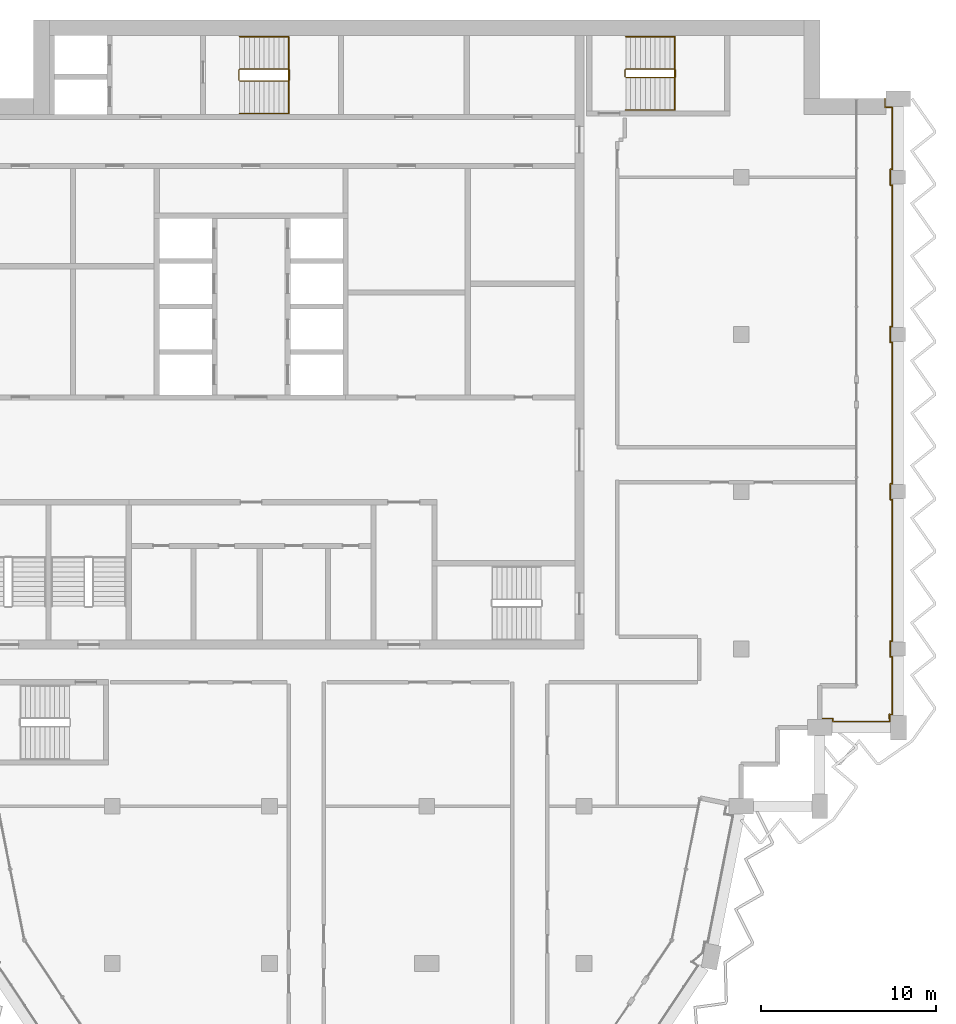
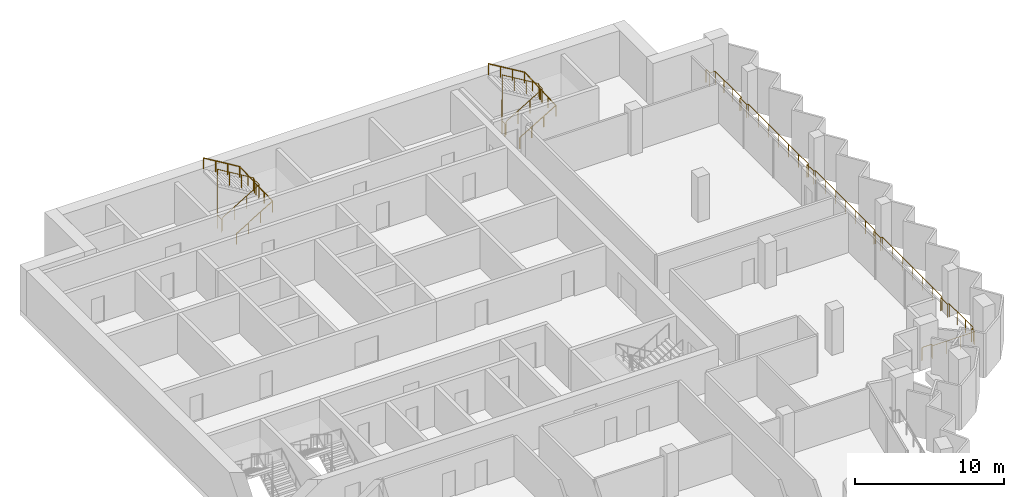
# One storey, part 14 of 14: 5 railings.
"""IFC4 building model written with IfcOpenShell, lengths in metres."""

from ifc_helpers import new_model, si_unit, direction, frame, origin, origin_2d, place, context, subcontext, project, spatial, circle, extrude, material, type_object, element, save


model = new_model("IFC4")

# Units and contexts
model_context = context("Model", 3, precision=1e-05, world=origin(), true_north=direction((0.0, 1.0)))
body_context = subcontext(model_context, "Body", "Model", "MODEL_VIEW")
ifc_project = project(units=[si_unit("LENGTHUNIT", "METRE"), si_unit("AREAUNIT", "SQUARE_METRE"), si_unit("VOLUMEUNIT", "CUBIC_METRE"), si_unit("PLANEANGLEUNIT", "RADIAN"), si_unit("MASSUNIT", "GRAM", prefix="KILO")], contexts=[model_context])

# Site, building, storey
site_placement = place(None, origin())
site = spatial("IfcSite", under=ifc_project, at=site_placement, CompositionType="ELEMENT")
building_placement = place(site_placement, origin())
building = spatial("IfcBuilding", under=site, at=building_placement, Name="Hunhe Ridgeline Campus", CompositionType="ELEMENT")
storey_placement = place(building_placement, frame((0.0, 0.0, 295.60009765625)))
storey = spatial("IfcBuildingStorey", under=building, at=storey_placement, Name="L76", CompositionType="ELEMENT", Elevation=295.60009765625)

# Railings
ifc_material_1 = material(Name="Steel Q355", Category="steel")
railing_type_1 = type_object("IfcRailingType", Name="Loggia guard 1100 Steel Q355", PredefinedType="GUARDRAIL", material=ifc_material_1)
railing_1_placement = place(storey_placement, frame((49.5, 59.02001953125, 0.0)))
element("IfcRailing", 1, at=railing_1_placement, inside=storey, type_object=railing_type_1, Name="Loggia guard 2", PredefinedType="GUARDRAIL", context=body_context, shape_type="SweptSolid", body=[
    extrude(circle(Radius=0.02392578125, at=origin_2d()), frame((0.0, 0.0, 1.076171875), z_axis=(1.0, 0.0, 0.0), x_axis=(0.0, 1.0, 0.0)), (0.0, 0.0, 1.0), 0.75),
    extrude(circle(Radius=0.02392578125, at=origin_2d()), frame((0.75, 0.0, 1.076171875), z_axis=(0.0, -1.0, 0.0), x_axis=(1.0, 0.0, 0.0)), (0.0, 0.0, 1.0), 0.169921875),
    extrude(circle(Radius=0.02392578125, at=origin_2d()), frame((0.75, -0.169921875, 1.076171875), z_axis=(1.0, 0.0, 0.0), x_axis=(0.0, 1.0, 0.0)), (0.0, 0.0, 1.0), 3.25),
    extrude(circle(Radius=0.02392578125, at=origin_2d()), frame((4.0, -0.169921875, 1.076171875), z_axis=(0.0, 1.0, 0.0), x_axis=(-1.0, 0.0, 0.0)), (0.0, 0.0, 1.0), 0.419921875),
    extrude(circle(Radius=0.02392578125, at=origin_2d()), frame((4.0, 0.25, 1.076171875), z_axis=(-0.079822602517, -0.996809085095, 0.0), x_axis=(0.996809085095, -0.079822602517, 0.0)), (0.0, 0.0, 1.0), 0.250732421875),
    extrude(circle(Radius=0.02392578125, at=origin_2d()), frame((3.97998046875, 0.0, 1.076171875), z_axis=(0.0, 1.0, 0.0), x_axis=(-1.0, 0.0, 0.0)), (0.0, 0.0, 1.0), 0.22998046875),
    extrude(circle(Radius=0.02392578125, at=origin_2d()), frame((3.97998046875, 0.22998046875, 1.076171875), z_axis=(1.0, 0.0, 0.0), x_axis=(0.0, 1.0, 0.0)), (0.0, 0.0, 1.0), 0.169921875),
    extrude(circle(Radius=0.02392578125, at=origin_2d()), frame((4.14990234375, 0.22998046875, 1.076171875), z_axis=(0.0, 1.0, 0.0), x_axis=(-1.0, 0.0, 0.0)), (0.0, 0.0, 1.0), 3.300048828125),
    extrude(circle(Radius=0.02392578125, at=origin_2d()), frame((4.14990234375, 3.530029296875, 1.076171875), z_axis=(-1.0, 0.0, 0.0), x_axis=(0.0, -1.0, 0.0)), (0.0, 0.0, 1.0), 0.119873046875),
    extrude(circle(Radius=0.02392578125, at=origin_2d()), frame((4.030029296875, 3.530029296875, 1.076171875), z_axis=(0.0, 1.0, 0.0), x_axis=(-1.0, 0.0, 0.0)), (0.0, 0.0, 1.0), 0.89990234375),
    extrude(circle(Radius=0.02392578125, at=origin_2d()), frame((4.030029296875, 4.429931640625, 1.076171875), z_axis=(1.0, 0.0, 0.0), x_axis=(0.0, 1.0, 0.0)), (0.0, 0.0, 1.0), 0.119873046875),
    extrude(circle(Radius=0.02392578125, at=origin_2d()), frame((4.14990234375, 4.429931640625, 1.076171875), z_axis=(0.0, 1.0, 0.0), x_axis=(-1.0, 0.0, 0.0)), (0.0, 0.0, 1.0), 8.10009765625),
    extrude(circle(Radius=0.02392578125, at=origin_2d()), frame((4.14990234375, 12.530029296875, 1.076171875), z_axis=(-1.0, 0.0, 0.0), x_axis=(0.0, -1.0, 0.0)), (0.0, 0.0, 1.0), 0.119873046875),
    extrude(circle(Radius=0.02392578125, at=origin_2d()), frame((4.030029296875, 12.530029296875, 1.076171875), z_axis=(0.0, 1.0, 0.0), x_axis=(-1.0, 0.0, 0.0)), (0.0, 0.0, 1.0), 0.89990234375),
    extrude(circle(Radius=0.02392578125, at=origin_2d()), frame((4.030029296875, 13.429931640625, 1.076171875), z_axis=(1.0, 0.0, 0.0), x_axis=(0.0, 1.0, 0.0)), (0.0, 0.0, 1.0), 0.119873046875),
    extrude(circle(Radius=0.02392578125, at=origin_2d()), frame((4.14990234375, 13.429931640625, 1.076171875), z_axis=(0.0, 1.0, 0.0), x_axis=(-1.0, 0.0, 0.0)), (0.0, 0.0, 1.0), 8.10009765625),
    extrude(circle(Radius=0.02392578125, at=origin_2d()), frame((4.14990234375, 21.530029296875, 1.076171875), z_axis=(-1.0, 0.0, 0.0), x_axis=(0.0, -1.0, 0.0)), (0.0, 0.0, 1.0), 0.119873046875),
    extrude(circle(Radius=0.02392578125, at=origin_2d()), frame((4.030029296875, 21.530029296875, 1.076171875), z_axis=(0.0, 1.0, 0.0), x_axis=(-1.0, 0.0, 0.0)), (0.0, 0.0, 1.0), 0.89990234375),
    extrude(circle(Radius=0.02392578125, at=origin_2d()), frame((4.030029296875, 22.429931640625, 1.076171875), z_axis=(1.0, 0.0, 0.0), x_axis=(0.0, 1.0, 0.0)), (0.0, 0.0, 1.0), 0.119873046875),
    extrude(circle(Radius=0.02392578125, at=origin_2d()), frame((4.14990234375, 22.429931640625, 1.076171875), z_axis=(0.0, 1.0, 0.0), x_axis=(-1.0, 0.0, 0.0)), (0.0, 0.0, 1.0), 8.10009765625),
    extrude(circle(Radius=0.02392578125, at=origin_2d()), frame((4.14990234375, 30.530029296875, 1.076171875), z_axis=(-1.0, 0.0, 0.0), x_axis=(0.0, -1.0, 0.0)), (0.0, 0.0, 1.0), 0.119873046875),
    extrude(circle(Radius=0.02392578125, at=origin_2d()), frame((4.030029296875, 30.530029296875, 1.076171875), z_axis=(0.0, 1.0, 0.0), x_axis=(-1.0, 0.0, 0.0)), (0.0, 0.0, 1.0), 0.89990234375),
    extrude(circle(Radius=0.02392578125, at=origin_2d()), frame((4.030029296875, 31.429931640625, 1.076171875), z_axis=(1.0, 0.0, 0.0), x_axis=(0.0, 1.0, 0.0)), (0.0, 0.0, 1.0), 0.119873046875),
    extrude(circle(Radius=0.02392578125, at=origin_2d()), frame((4.14990234375, 31.429931640625, 1.076171875), z_axis=(0.0, 1.0, 0.0), x_axis=(-1.0, 0.0, 0.0)), (0.0, 0.0, 1.0), 3.550048828125),
    extrude(circle(Radius=0.02392578125, at=origin_2d()), frame((4.14990234375, 34.97998046875, 1.076171875), z_axis=(-1.0, 0.0, 0.0), x_axis=(0.0, -1.0, 0.0)), (0.0, 0.0, 1.0), 0.419921875),
    extrude(circle(Radius=0.02392578125, at=origin_2d()), frame((3.72998046875, 34.97998046875, 1.076171875), z_axis=(0.0, 1.0, 0.0), x_axis=(-1.0, 0.0, 0.0)), (0.0, 0.0, 1.0), 0.5),
    extrude(circle(Radius=0.02099609375, at=origin_2d()), origin(), (0.0, 0.0, 1.0), 1.052001953125),
    extrude(circle(Radius=0.02099609375, at=origin_2d()), frame((0.75, 0.0, 0.0)), (0.0, 0.0, 1.0), 1.052001953125),
    extrude(circle(Radius=0.02099609375, at=origin_2d()), frame((0.75, -0.169921875, 0.0)), (0.0, 0.0, 1.0), 1.052001953125),
    extrude(circle(Radius=0.02099609375, at=origin_2d()), frame((1.833251953125, -0.169921875, 0.0)), (0.0, 0.0, 1.0), 1.052001953125),
    extrude(circle(Radius=0.02099609375, at=origin_2d()), frame((2.916748046875, -0.169921875, 0.0)), (0.0, 0.0, 1.0), 1.052001953125),
    extrude(circle(Radius=0.02099609375, at=origin_2d()), frame((4.0, -0.169921875, 0.0)), (0.0, 0.0, 1.0), 1.052001953125),
    extrude(circle(Radius=0.02099609375, at=origin_2d()), frame((4.0, 0.25, 0.0)), (0.0, 0.0, 1.0), 1.052001953125),
    extrude(circle(Radius=0.02099609375, at=origin_2d()), frame((3.97998046875, 0.0, 0.0)), (0.0, 0.0, 1.0), 1.052001953125),
    extrude(circle(Radius=0.02099609375, at=origin_2d()), frame((3.97998046875, 0.22998046875, 0.0)), (0.0, 0.0, 1.0), 1.052001953125),
    extrude(circle(Radius=0.02099609375, at=origin_2d()), frame((4.14990234375, 0.22998046875, 0.0)), (0.0, 0.0, 1.0), 1.052001953125),
    extrude(circle(Radius=0.02099609375, at=origin_2d()), frame((4.14990234375, 1.330078125, 0.0)), (0.0, 0.0, 1.0), 1.052001953125),
    extrude(circle(Radius=0.02099609375, at=origin_2d()), frame((4.14990234375, 2.429931640625, 0.0)), (0.0, 0.0, 1.0), 1.052001953125),
    extrude(circle(Radius=0.02099609375, at=origin_2d()), frame((4.14990234375, 3.530029296875, 0.0)), (0.0, 0.0, 1.0), 1.052001953125),
    extrude(circle(Radius=0.02099609375, at=origin_2d()), frame((4.030029296875, 3.530029296875, 0.0)), (0.0, 0.0, 1.0), 1.052001953125),
    extrude(circle(Radius=0.02099609375, at=origin_2d()), frame((4.030029296875, 4.429931640625, 0.0)), (0.0, 0.0, 1.0), 1.052001953125),
    extrude(circle(Radius=0.02099609375, at=origin_2d()), frame((4.14990234375, 4.429931640625, 0.0)), (0.0, 0.0, 1.0), 1.052001953125),
    extrude(circle(Radius=0.02099609375, at=origin_2d()), frame((4.14990234375, 5.780029296875, 0.0)), (0.0, 0.0, 1.0), 1.052001953125),
    extrude(circle(Radius=0.02099609375, at=origin_2d()), frame((4.14990234375, 7.1298828125, 0.0)), (0.0, 0.0, 1.0), 1.052001953125),
    extrude(circle(Radius=0.02099609375, at=origin_2d()), frame((4.14990234375, 8.47998046875, 0.0)), (0.0, 0.0, 1.0), 1.052001953125),
    extrude(circle(Radius=0.02099609375, at=origin_2d()), frame((4.14990234375, 9.830078125, 0.0)), (0.0, 0.0, 1.0), 1.052001953125),
    extrude(circle(Radius=0.02099609375, at=origin_2d()), frame((4.14990234375, 11.179931640625, 0.0)), (0.0, 0.0, 1.0), 1.052001953125),
    extrude(circle(Radius=0.02099609375, at=origin_2d()), frame((4.14990234375, 12.530029296875, 0.0)), (0.0, 0.0, 1.0), 1.052001953125),
    extrude(circle(Radius=0.02099609375, at=origin_2d()), frame((4.030029296875, 12.530029296875, 0.0)), (0.0, 0.0, 1.0), 1.052001953125),
    extrude(circle(Radius=0.02099609375, at=origin_2d()), frame((4.030029296875, 13.429931640625, 0.0)), (0.0, 0.0, 1.0), 1.052001953125),
    extrude(circle(Radius=0.02099609375, at=origin_2d()), frame((4.14990234375, 13.429931640625, 0.0)), (0.0, 0.0, 1.0), 1.052001953125),
    extrude(circle(Radius=0.02099609375, at=origin_2d()), frame((4.14990234375, 14.780029296875, 0.0)), (0.0, 0.0, 1.0), 1.052001953125),
    extrude(circle(Radius=0.02099609375, at=origin_2d()), frame((4.14990234375, 16.1298828125, 0.0)), (0.0, 0.0, 1.0), 1.052001953125),
    extrude(circle(Radius=0.02099609375, at=origin_2d()), frame((4.14990234375, 17.47998046875, 0.0)), (0.0, 0.0, 1.0), 1.052001953125),
    extrude(circle(Radius=0.02099609375, at=origin_2d()), frame((4.14990234375, 18.830078125, 0.0)), (0.0, 0.0, 1.0), 1.052001953125),
    extrude(circle(Radius=0.02099609375, at=origin_2d()), frame((4.14990234375, 20.179931640625, 0.0)), (0.0, 0.0, 1.0), 1.052001953125),
    extrude(circle(Radius=0.02099609375, at=origin_2d()), frame((4.14990234375, 21.530029296875, 0.0)), (0.0, 0.0, 1.0), 1.052001953125),
    extrude(circle(Radius=0.02099609375, at=origin_2d()), frame((4.030029296875, 21.530029296875, 0.0)), (0.0, 0.0, 1.0), 1.052001953125),
    extrude(circle(Radius=0.02099609375, at=origin_2d()), frame((4.030029296875, 22.429931640625, 0.0)), (0.0, 0.0, 1.0), 1.052001953125),
    extrude(circle(Radius=0.02099609375, at=origin_2d()), frame((4.14990234375, 22.429931640625, 0.0)), (0.0, 0.0, 1.0), 1.052001953125),
    extrude(circle(Radius=0.02099609375, at=origin_2d()), frame((4.14990234375, 23.780029296875, 0.0)), (0.0, 0.0, 1.0), 1.052001953125),
    extrude(circle(Radius=0.02099609375, at=origin_2d()), frame((4.14990234375, 25.1298828125, 0.0)), (0.0, 0.0, 1.0), 1.052001953125),
    extrude(circle(Radius=0.02099609375, at=origin_2d()), frame((4.14990234375, 26.47998046875, 0.0)), (0.0, 0.0, 1.0), 1.052001953125),
    extrude(circle(Radius=0.02099609375, at=origin_2d()), frame((4.14990234375, 27.830078125, 0.0)), (0.0, 0.0, 1.0), 1.052001953125),
    extrude(circle(Radius=0.02099609375, at=origin_2d()), frame((4.14990234375, 29.179931640625, 0.0)), (0.0, 0.0, 1.0), 1.052001953125),
    extrude(circle(Radius=0.02099609375, at=origin_2d()), frame((4.14990234375, 30.530029296875, 0.0)), (0.0, 0.0, 1.0), 1.052001953125),
    extrude(circle(Radius=0.02099609375, at=origin_2d()), frame((4.030029296875, 30.530029296875, 0.0)), (0.0, 0.0, 1.0), 1.052001953125),
    extrude(circle(Radius=0.02099609375, at=origin_2d()), frame((4.030029296875, 31.429931640625, 0.0)), (0.0, 0.0, 1.0), 1.052001953125),
    extrude(circle(Radius=0.02099609375, at=origin_2d()), frame((4.14990234375, 31.429931640625, 0.0)), (0.0, 0.0, 1.0), 1.052001953125),
    extrude(circle(Radius=0.02099609375, at=origin_2d()), frame((4.14990234375, 32.61328125, 0.0)), (0.0, 0.0, 1.0), 1.052001953125),
    extrude(circle(Radius=0.02099609375, at=origin_2d()), frame((4.14990234375, 33.796630859375, 0.0)), (0.0, 0.0, 1.0), 1.052001953125),
    extrude(circle(Radius=0.02099609375, at=origin_2d()), frame((4.14990234375, 34.97998046875, 0.0)), (0.0, 0.0, 1.0), 1.052001953125),
    extrude(circle(Radius=0.02099609375, at=origin_2d()), frame((3.72998046875, 34.97998046875, 0.0)), (0.0, 0.0, 1.0), 1.052001953125),
    extrude(circle(Radius=0.02099609375, at=origin_2d()), frame((3.72998046875, 35.47998046875, 0.0)), (0.0, 0.0, 1.0), 1.052001953125),
])
ifc_material_2 = material(Name="Stainless steel balustrade", Category="steel")
railing_type_2 = type_object("IfcRailingType", Name="Stair guard 1100 stainless", PredefinedType="GUARDRAIL", material=ifc_material_2)
railing_2_placement = place(storey_placement, frame((16.300048828125, 95.5, 0.16796875)))
element("IfcRailing", 2, at=railing_2_placement, inside=storey, type_object=railing_type_2, Name="L76 stair S1 guard", PredefinedType="GUARDRAIL", context=body_context, shape_type="SweptSolid", body=[
    extrude(circle(Radius=0.02392578125, at=origin_2d()), frame((0.0, 0.0, 1.076171875), z_axis=(0.857242210791, 0.0, 0.514913383045), x_axis=(0.0, 1.0, 0.0)), (0.0, 0.0, 1.0), 3.266357421875),
    extrude(circle(Radius=0.02392578125, at=origin_2d()), frame((2.800048828125, 0.0, 2.7578125), z_axis=(0.705375805398, 0.708833529934, 0.0), x_axis=(-0.708833529934, 0.705375805398, 0.0)), (0.0, 0.0, 1.0), 0.070556640625),
    extrude(circle(Radius=0.02392578125, at=origin_2d()), frame((2.849853515625, 0.050048828125, 2.7578125), z_axis=(0.0, 1.0, 0.0), x_axis=(-1.0, 0.0, 0.0)), (0.0, 0.0, 1.0), 0.599853515625),
    extrude(circle(Radius=0.02392578125, at=origin_2d()), frame((2.849853515625, 0.64990234375, 2.7578125), z_axis=(-0.273006030465, 0.27434429532, 0.922064485248), x_axis=(-0.708833529934, -0.705375805398, 0.0)), (0.0, 0.0, 1.0), 0.182373046875),
    extrude(circle(Radius=0.02392578125, at=origin_2d()), frame((2.800048828125, 0.699951171875, 2.92626953125), z_axis=(-0.857242210791, 0.0, 0.514913383045), x_axis=(0.0, -1.0, 0.0)), (0.0, 0.0, 1.0), 3.266357421875),
    extrude(circle(Radius=0.02392578125, at=origin_2d()), frame((0.0, 0.699951171875, 4.60791015625), z_axis=(-0.013524414389, -0.013524414389, -0.999817073484), x_axis=(0.707106781187, -0.707106781187, 0.0)), (0.0, 0.0, 1.0), 3.70068359375),
    extrude(circle(Radius=0.02392578125, at=origin_2d()), frame((-0.050048828125, 0.64990234375, 0.908203125), z_axis=(0.0, -1.0, 0.0), x_axis=(1.0, 0.0, 0.0)), (0.0, 0.0, 1.0), 0.599853515625),
    extrude(circle(Radius=0.02099609375, at=origin_2d()), origin(), (0.0, 0.0, 1.0), 1.052001953125),
    extrude(circle(Radius=0.02099609375, at=origin_2d()), frame((0.933349609375, 0.0, 0.560546875)), (0.0, 0.0, 1.0), 1.052001953125),
    extrude(circle(Radius=0.02099609375, at=origin_2d()), frame((1.86669921875, 0.0, 1.121337890625)), (0.0, 0.0, 1.0), 1.052001953125),
    extrude(circle(Radius=0.02099609375, at=origin_2d()), frame((2.800048828125, 0.0, 1.681884765625)), (0.0, 0.0, 1.0), 1.052001953125),
    extrude(circle(Radius=0.02099609375, at=origin_2d()), frame((2.849853515625, 0.050048828125, 1.681884765625)), (0.0, 0.0, 1.0), 1.052001953125),
    extrude(circle(Radius=0.02099609375, at=origin_2d()), frame((2.849853515625, 0.64990234375, 1.681884765625)), (0.0, 0.0, 1.0), 1.052001953125),
    extrude(circle(Radius=0.02099609375, at=origin_2d()), frame((2.800048828125, 0.699951171875, 1.85009765625)), (0.0, 0.0, 1.0), 1.052001953125),
    extrude(circle(Radius=0.02099609375, at=origin_2d()), frame((1.86669921875, 0.699951171875, 2.41064453125)), (0.0, 0.0, 1.0), 1.052001953125),
    extrude(circle(Radius=0.02099609375, at=origin_2d()), frame((0.933349609375, 0.699951171875, 2.971435546875)), (0.0, 0.0, 1.0), 1.052001953125),
    extrude(circle(Radius=0.02099609375, at=origin_2d()), frame((0.0, 0.699951171875, 3.531982421875)), (0.0, 0.0, 1.0), 1.052001953125),
    extrude(circle(Radius=0.02099609375, at=origin_2d()), frame((-0.012451171875, 0.6875, 2.60693359375)), (0.0, 0.0, 1.0), 1.052001953125),
    extrude(circle(Radius=0.02099609375, at=origin_2d()), frame((-0.02490234375, 0.6748046875, 1.68212890625)), (0.0, 0.0, 1.0), 1.052001953125),
    extrude(circle(Radius=0.02099609375, at=origin_2d()), frame((-0.03759765625, 0.662353515625, 0.757080078125)), (0.0, 0.0, 1.0), 1.052001953125),
    extrude(circle(Radius=0.02099609375, at=origin_2d()), frame((-0.050048828125, 0.64990234375, -0.16796875)), (0.0, 0.0, 1.0), 1.052001953125),
    extrude(circle(Radius=0.02099609375, at=origin_2d()), frame((-0.050048828125, 0.050048828125, -0.16796875)), (0.0, 0.0, 1.0), 1.052001953125),
])
railing_3_placement = place(storey_placement, frame((38.39990234375, 95.699951171875, 0.16796875)))
element("IfcRailing", 3, at=railing_3_placement, inside=storey, type_object=railing_type_2, Name="L76 stair E1 guard", PredefinedType="GUARDRAIL", context=body_context, shape_type="SweptSolid", body=[
    extrude(circle(Radius=0.02392578125, at=origin_2d()), frame((0.0, 0.0, 1.076171875), z_axis=(0.857242210791, 0.0, 0.514913383045), x_axis=(0.0, 1.0, 0.0)), (0.0, 0.0, 1.0), 3.266357421875),
    extrude(circle(Radius=0.02392578125, at=origin_2d()), frame((2.800048828125, 0.0, 2.7578125), z_axis=(0.707106781187, 0.707106781187, 0.0), x_axis=(-0.707106781187, 0.707106781187, 0.0)), (0.0, 0.0, 1.0), 0.07080078125),
    extrude(circle(Radius=0.02392578125, at=origin_2d()), frame((2.85009765625, 0.050048828125, 2.7578125), z_axis=(0.0, 1.0, 0.0), x_axis=(-1.0, 0.0, 0.0)), (0.0, 0.0, 1.0), 0.39990234375),
    extrude(circle(Radius=0.02392578125, at=origin_2d()), frame((2.85009765625, 0.449951171875, 2.7578125), z_axis=(-0.274243871929, 0.274243871929, 0.92172696468), x_axis=(-0.707106781187, -0.707106781187, 0.0)), (0.0, 0.0, 1.0), 0.1826171875),
    extrude(circle(Radius=0.02392578125, at=origin_2d()), frame((2.800048828125, 0.5, 2.92626953125), z_axis=(-0.857242210791, 0.0, 0.514913383045), x_axis=(0.0, -1.0, 0.0)), (0.0, 0.0, 1.0), 3.266357421875),
    extrude(circle(Radius=0.02392578125, at=origin_2d()), frame((0.0, 0.5, 4.60791015625), z_axis=(-0.013458453615, -0.013524426427, -0.999817963389), x_axis=(0.708833529934, -0.705375805398, 0.0)), (0.0, 0.0, 1.0), 3.70068359375),
    extrude(circle(Radius=0.02392578125, at=origin_2d()), frame((-0.0498046875, 0.449951171875, 0.908203125), z_axis=(0.0, -1.0, 0.0), x_axis=(1.0, 0.0, 0.0)), (0.0, 0.0, 1.0), 0.39990234375),
    extrude(circle(Radius=0.02099609375, at=origin_2d()), origin(), (0.0, 0.0, 1.0), 1.052001953125),
    extrude(circle(Radius=0.02099609375, at=origin_2d()), frame((0.933349609375, 0.0, 0.560546875)), (0.0, 0.0, 1.0), 1.052001953125),
    extrude(circle(Radius=0.02099609375, at=origin_2d()), frame((1.86669921875, 0.0, 1.121337890625)), (0.0, 0.0, 1.0), 1.052001953125),
    extrude(circle(Radius=0.02099609375, at=origin_2d()), frame((2.800048828125, 0.0, 1.681884765625)), (0.0, 0.0, 1.0), 1.052001953125),
    extrude(circle(Radius=0.02099609375, at=origin_2d()), frame((2.85009765625, 0.050048828125, 1.681884765625)), (0.0, 0.0, 1.0), 1.052001953125),
    extrude(circle(Radius=0.02099609375, at=origin_2d()), frame((2.85009765625, 0.449951171875, 1.681884765625)), (0.0, 0.0, 1.0), 1.052001953125),
    extrude(circle(Radius=0.02099609375, at=origin_2d()), frame((2.800048828125, 0.5, 1.85009765625)), (0.0, 0.0, 1.0), 1.052001953125),
    extrude(circle(Radius=0.02099609375, at=origin_2d()), frame((1.86669921875, 0.5, 2.41064453125)), (0.0, 0.0, 1.0), 1.052001953125),
    extrude(circle(Radius=0.02099609375, at=origin_2d()), frame((0.933349609375, 0.5, 2.971435546875)), (0.0, 0.0, 1.0), 1.052001953125),
    extrude(circle(Radius=0.02099609375, at=origin_2d()), frame((0.0, 0.5, 3.531982421875)), (0.0, 0.0, 1.0), 1.052001953125),
    extrude(circle(Radius=0.02099609375, at=origin_2d()), frame((-0.012451171875, 0.487548828125, 2.60693359375)), (0.0, 0.0, 1.0), 1.052001953125),
    extrude(circle(Radius=0.02099609375, at=origin_2d()), frame((-0.02490234375, 0.47509765625, 1.68212890625)), (0.0, 0.0, 1.0), 1.052001953125),
    extrude(circle(Radius=0.02099609375, at=origin_2d()), frame((-0.037353515625, 0.46240234375, 0.757080078125)), (0.0, 0.0, 1.0), 1.052001953125),
    extrude(circle(Radius=0.02099609375, at=origin_2d()), frame((-0.0498046875, 0.449951171875, -0.16796875)), (0.0, 0.0, 1.0), 1.052001953125),
    extrude(circle(Radius=0.02099609375, at=origin_2d()), frame((-0.0498046875, 0.050048828125, -0.16796875)), (0.0, 0.0, 1.0), 1.052001953125),
])
ifc_material_3 = material(Name="Stainless steel handrail", Category="steel")
railing_type_3 = type_object("IfcRailingType", Name="Stair handrail 900 stainless", PredefinedType="HANDRAIL", material=ifc_material_3)
railing_4_placement = place(storey_placement, frame((16.300048828125, 93.64990234375, 0.16796875)))
element("IfcRailing", 4, at=railing_4_placement, inside=storey, type_object=railing_type_3, Name="L76 stair S1 handrail", PredefinedType="HANDRAIL", context=body_context, shape_type="SweptSolid", body=[
    extrude(circle(Radius=0.02392578125, at=origin_2d()), frame((0.0, 0.0, 0.8759765625), z_axis=(0.857242210791, 0.0, 0.514913383045), x_axis=(0.0, 1.0, 0.0)), (0.0, 0.0, 1.0), 3.266357421875),
    extrude(circle(Radius=0.02392578125, at=origin_2d()), frame((2.800048828125, 0.0, 2.5576171875), z_axis=(0.0, 0.999270074432, 0.038201025428), x_axis=(-1.0, 0.0, 0.0)), (0.0, 0.0, 1.0), 4.4033203125),
    extrude(circle(Radius=0.02392578125, at=origin_2d()), frame((2.800048828125, 4.400146484375, 2.72607421875), z_axis=(-0.857242210791, 0.0, 0.514913383045), x_axis=(0.0, -1.0, 0.0)), (0.0, 0.0, 1.0), 3.266357421875),
    extrude(circle(Radius=0.02099609375, at=origin_2d()), origin(), (0.0, 0.0, 1.0), 0.851806640625),
    extrude(circle(Radius=0.02099609375, at=origin_2d()), frame((0.933349609375, 0.0, 0.560546875)), (0.0, 0.0, 1.0), 0.851806640625),
    extrude(circle(Radius=0.02099609375, at=origin_2d()), frame((1.86669921875, 0.0, 1.121337890625)), (0.0, 0.0, 1.0), 0.851806640625),
    extrude(circle(Radius=0.02099609375, at=origin_2d()), frame((2.800048828125, 0.0, 1.681884765625)), (0.0, 0.0, 1.0), 0.851806640625),
    extrude(circle(Radius=0.02099609375, at=origin_2d()), frame((2.800048828125, 1.10009765625, 1.723876953125)), (0.0, 0.0, 1.0), 0.851806640625),
    extrude(circle(Radius=0.02099609375, at=origin_2d()), frame((2.800048828125, 2.2001953125, 1.76611328125)), (0.0, 0.0, 1.0), 0.851806640625),
    extrude(circle(Radius=0.02099609375, at=origin_2d()), frame((2.800048828125, 3.300048828125, 1.80810546875)), (0.0, 0.0, 1.0), 0.851806640625),
    extrude(circle(Radius=0.02099609375, at=origin_2d()), frame((2.800048828125, 4.400146484375, 1.85009765625)), (0.0, 0.0, 1.0), 0.851806640625),
    extrude(circle(Radius=0.02099609375, at=origin_2d()), frame((1.86669921875, 4.400146484375, 2.41064453125)), (0.0, 0.0, 1.0), 0.851806640625),
    extrude(circle(Radius=0.02099609375, at=origin_2d()), frame((0.933349609375, 4.400146484375, 2.971435546875)), (0.0, 0.0, 1.0), 0.851806640625),
    extrude(circle(Radius=0.02099609375, at=origin_2d()), frame((0.0, 4.400146484375, 3.531982421875)), (0.0, 0.0, 1.0), 0.851806640625),
])
railing_5_placement = place(storey_placement, frame((38.39990234375, 93.85009765625, 0.16796875)))
element("IfcRailing", 5, at=railing_5_placement, inside=storey, type_object=railing_type_3, Name="L76 stair E1 handrail", PredefinedType="HANDRAIL", context=body_context, shape_type="SweptSolid", body=[
    extrude(circle(Radius=0.02392578125, at=origin_2d()), frame((0.0, 0.0, 0.8759765625), z_axis=(0.857242210791, 0.0, 0.514913383045), x_axis=(0.0, 1.0, 0.0)), (0.0, 0.0, 1.0), 3.266357421875),
    extrude(circle(Radius=0.02392578125, at=origin_2d()), frame((2.800048828125, 0.0, 2.5576171875), z_axis=(0.0, 0.999198916169, 0.040019069537), x_axis=(-1.0, 0.0, 0.0)), (0.0, 0.0, 1.0), 4.203369140625),
    extrude(circle(Radius=0.02392578125, at=origin_2d()), frame((2.800048828125, 4.199951171875, 2.72607421875), z_axis=(-0.857242210791, 0.0, 0.514913383045), x_axis=(0.0, -1.0, 0.0)), (0.0, 0.0, 1.0), 3.266357421875),
    extrude(circle(Radius=0.02099609375, at=origin_2d()), origin(), (0.0, 0.0, 1.0), 0.851806640625),
    extrude(circle(Radius=0.02099609375, at=origin_2d()), frame((0.933349609375, 0.0, 0.560546875)), (0.0, 0.0, 1.0), 0.851806640625),
    extrude(circle(Radius=0.02099609375, at=origin_2d()), frame((1.86669921875, 0.0, 1.121337890625)), (0.0, 0.0, 1.0), 0.851806640625),
    extrude(circle(Radius=0.02099609375, at=origin_2d()), frame((2.800048828125, 0.0, 1.681884765625)), (0.0, 0.0, 1.0), 0.851806640625),
    extrude(circle(Radius=0.02099609375, at=origin_2d()), frame((2.800048828125, 1.050048828125, 1.723876953125)), (0.0, 0.0, 1.0), 0.851806640625),
    extrude(circle(Radius=0.02099609375, at=origin_2d()), frame((2.800048828125, 2.10009765625, 1.76611328125)), (0.0, 0.0, 1.0), 0.851806640625),
    extrude(circle(Radius=0.02099609375, at=origin_2d()), frame((2.800048828125, 3.14990234375, 1.80810546875)), (0.0, 0.0, 1.0), 0.851806640625),
    extrude(circle(Radius=0.02099609375, at=origin_2d()), frame((2.800048828125, 4.199951171875, 1.85009765625)), (0.0, 0.0, 1.0), 0.851806640625),
    extrude(circle(Radius=0.02099609375, at=origin_2d()), frame((1.86669921875, 4.199951171875, 2.41064453125)), (0.0, 0.0, 1.0), 0.851806640625),
    extrude(circle(Radius=0.02099609375, at=origin_2d()), frame((0.933349609375, 4.199951171875, 2.971435546875)), (0.0, 0.0, 1.0), 0.851806640625),
    extrude(circle(Radius=0.02099609375, at=origin_2d()), frame((0.0, 4.199951171875, 3.531982421875)), (0.0, 0.0, 1.0), 0.851806640625),
])

save(model, "model.ifc")
